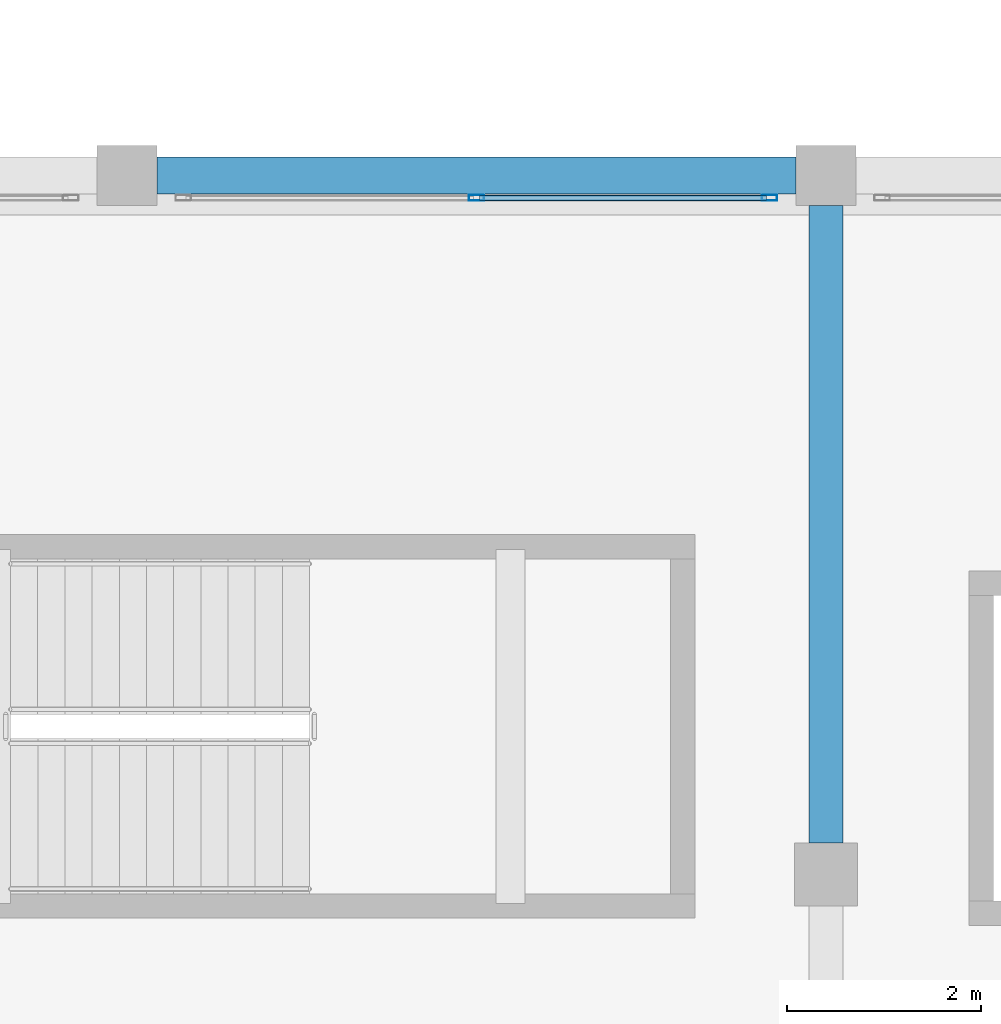
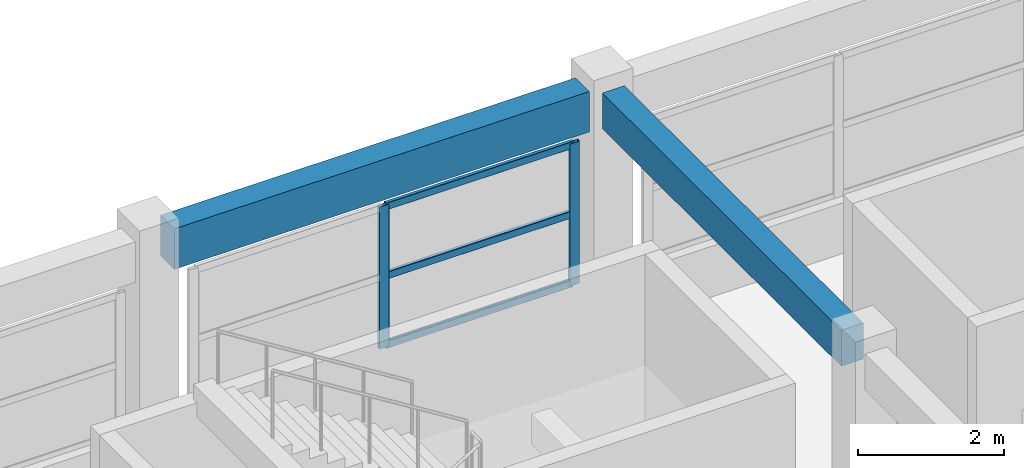
# One storey, part 13 of 67: 5 members, 2 beams, 1 element without a shape of its own.
"""IFC4 building model written with IfcOpenShell, lengths in metres."""

from ifc_helpers import new_model, si_unit, direction, frame, origin, origin_2d, place, context, subcontext, project, spatial, rectangle, hollow_rectangle, extrude, material, material_profile, profile_set, type_object, element, aggregate, save


model = new_model("IFC4")

# Units and contexts
model_context = context("Model", 3, precision=1e-05, world=origin(), true_north=direction((0.0, 1.0)))
body_context = subcontext(model_context, "Body", "Model", "MODEL_VIEW")
ifc_project = project(units=[si_unit("LENGTHUNIT", "METRE"), si_unit("AREAUNIT", "SQUARE_METRE"), si_unit("VOLUMEUNIT", "CUBIC_METRE"), si_unit("PLANEANGLEUNIT", "RADIAN"), si_unit("MASSUNIT", "GRAM", prefix="KILO")], contexts=[model_context])

# Site, building, storey
site_placement = place(None, origin())
site = spatial("IfcSite", under=ifc_project, at=site_placement, CompositionType="ELEMENT")
building_placement = place(site_placement, origin())
building = spatial("IfcBuilding", under=site, at=building_placement, Name="Bramveld Media Centre", CompositionType="ELEMENT")
storey_placement = place(building_placement, frame((0.0, 0.0, 5.39990234375)))
storey = spatial("IfcBuildingStorey", under=building, at=storey_placement, Name="L01", CompositionType="ELEMENT", Elevation=5.39990234375)

# Beam
ifc_material_1 = material(Name="Concrete C40/50", Category="concrete")
ifc_material_profile_1 = material_profile(ifc_material_1, rectangle(XDim=0.35009765625, YDim=0.60009765625, at=origin_2d()), Name="RC 350x600")
ifc_profile_set_1 = profile_set([ifc_material_profile_1], Name="Concrete C40/50")
beam_type_1 = type_object("IfcBeamType", Name="BM-INT-RC-350x600", PredefinedType="BEAM", material=ifc_profile_set_1)
beam_1_placement = place(storey_placement, frame((80.0, 14.72509765625, 3.650146484375), z_axis=(0.0, 1.0, 0.0), x_axis=(-1.0, 0.0, 0.0)))
element("IfcBeam", 1, at=beam_1_placement, inside=storey, type_object=beam_type_1, Name="V5 L01 girder Y-750", PredefinedType="BEAM", context=body_context, shape_type="SweptSolid", body=[
    extrude(rectangle(XDim=0.35009765625, YDim=0.60009765625, at=origin_2d()), origin(), (0.0, 0.0, 1.0), 6.56494140625),
])

# Curtain wall, members
ifc_material_2 = material(Name="Thermally broken anodized bronze aluminium unitized curtain wall with solar-control triple glazing", Category="aluminium")
curtain_wall_type = type_object("IfcCurtainWallType", Name="CW-FACV5-6100x2380", PredefinedType="NOTDEFINED", material=ifc_material_2)
curtain_wall_placement = place(storey_placement, origin())
curtain_wall = element("IfcCurtainWall", 2, at=curtain_wall_placement, inside=storey, type_object=curtain_wall_type, Name="V5 L01 N curtain wall bay 3", PredefinedType="NOTDEFINED")
ifc_material_3 = material(Name="Thermally broken anodized bronze aluminium EN AW-6063 T6 curtain-wall framing", Category="aluminium")
ifc_material_profile_2 = material_profile(ifc_material_3, hollow_rectangle(XDim=0.06005859375, YDim=0.159912109375, WallThickness=0.00390625, InnerFilletRadius=0.00390625, OuterFilletRadius=0.008056640625, at=origin_2d()), Name="AL-MULL 60x160")
ifc_profile_set_2 = profile_set([ifc_material_profile_2], Name="Thermally broken anodized bronze aluminium EN AW-6063 T6 curtain-wall framing")
member_type_1 = type_object("IfcMemberType", Name="CW-MULL-EXT", PredefinedType="MULLION", material=ifc_profile_set_2)
member_1_placement = place(storey_placement, frame((76.39990234375, 21.3701171875, 0.85009765625), z_axis=(0.0, 0.0, 1.0), x_axis=(0.0, 1.0, 0.0)))
member_1 = element("IfcMember", 3, at=member_1_placement, type_object=member_type_1, Name="CW-FA-6123 mullion 2", PredefinedType="MULLION", context=body_context, shape_type="SweptSolid", body=[
    extrude(hollow_rectangle(XDim=0.06005859375, YDim=0.159912109375, WallThickness=0.00390625, InnerFilletRadius=0.00390625, OuterFilletRadius=0.008056640625, at=origin_2d()), origin(), (0.0, 0.0, 1.0), 2.3798828125),
])
member_2_placement = place(storey_placement, frame((79.419921875, 21.3701171875, 0.85009765625), z_axis=(0.0, 0.0, 1.0), x_axis=(0.0, 1.0, 0.0)))
member_2 = element("IfcMember", 4, at=member_2_placement, type_object=member_type_1, Name="CW-FA-6123 mullion 3", PredefinedType="MULLION", context=body_context, shape_type="SweptSolid", body=[
    extrude(hollow_rectangle(XDim=0.06005859375, YDim=0.159912109375, WallThickness=0.00390625, InnerFilletRadius=0.00390625, OuterFilletRadius=0.008056640625, at=origin_2d()), origin(), (0.0, 0.0, 1.0), 2.3798828125),
])
ifc_material_4 = material(Name="Thermally broken anodized bronze aluminium EN AW-6063 T6 curtain-wall framing", Category="aluminium")
ifc_material_profile_3 = material_profile(ifc_material_4, hollow_rectangle(XDim=0.06005859375, YDim=0.1201171875, WallThickness=0.00341796875, InnerFilletRadius=0.00341796875, OuterFilletRadius=0.007080078125, at=origin_2d()), Name="AL-TRAN 60x120")
ifc_profile_set_3 = profile_set([ifc_material_profile_3], Name="Thermally broken anodized bronze aluminium EN AW-6063 T6 curtain-wall framing")
member_type_2 = type_object("IfcMemberType", Name="CW-TRAN-EXT", PredefinedType="USERDEFINED", material=ifc_profile_set_3)
member_3_placement = place(storey_placement, frame((76.429931640625, 21.3701171875, 0.880126953125), z_axis=(1.0, 0.0, 0.0), x_axis=(0.0, 1.0, 0.0)))
member_3 = element("IfcMember", 5, at=member_3_placement, type_object=member_type_2, Name="CW-FA-6123 transom 2.1", ObjectType="TRANSOM", PredefinedType="USERDEFINED", context=body_context, shape_type="SweptSolid", body=[
    extrude(hollow_rectangle(XDim=0.06005859375, YDim=0.1201171875, WallThickness=0.00341796875, InnerFilletRadius=0.00341796875, OuterFilletRadius=0.007080078125, at=origin_2d()), origin(), (0.0, 0.0, 1.0), 2.9599609375),
])
member_4_placement = place(storey_placement, frame((76.429931640625, 21.3701171875, 2.0400390625), z_axis=(1.0, 0.0, 0.0), x_axis=(0.0, 1.0, 0.0)))
member_4 = element("IfcMember", 6, at=member_4_placement, type_object=member_type_2, Name="CW-FA-6123 transom 2.2", ObjectType="TRANSOM", PredefinedType="USERDEFINED", context=body_context, shape_type="SweptSolid", body=[
    extrude(hollow_rectangle(XDim=0.06005859375, YDim=0.1201171875, WallThickness=0.00341796875, InnerFilletRadius=0.00341796875, OuterFilletRadius=0.007080078125, at=origin_2d()), origin(), (0.0, 0.0, 1.0), 2.9599609375),
])
member_5_placement = place(storey_placement, frame((76.429931640625, 21.3701171875, 3.2001953125), z_axis=(1.0, 0.0, 0.0), x_axis=(0.0, 1.0, 0.0)))
member_5 = element("IfcMember", 7, at=member_5_placement, type_object=member_type_2, Name="CW-FA-6123 transom 2.3", ObjectType="TRANSOM", PredefinedType="USERDEFINED", context=body_context, shape_type="SweptSolid", body=[
    extrude(hollow_rectangle(XDim=0.06005859375, YDim=0.1201171875, WallThickness=0.00341796875, InnerFilletRadius=0.00341796875, OuterFilletRadius=0.007080078125, at=origin_2d()), origin(), (0.0, 0.0, 1.0), 2.9599609375),
])
aggregate(curtain_wall, [member_1, member_2, member_3, member_4, member_5])

# Beam
ifc_material_5 = material(Name="Concrete C40/50", Category="concrete")
ifc_material_profile_4 = material_profile(ifc_material_5, rectangle(XDim=0.3798828125, YDim=0.679931640625, at=origin_2d()), Name="RC 380x680")
ifc_profile_set_4 = profile_set([ifc_material_profile_4], Name="Concrete C40/50")
beam_type_2 = type_object("IfcBeamType", Name="SPANDREL-EXT-RC-380x680", PredefinedType="SPANDREL", material=ifc_profile_set_4)
beam_2_placement = place(storey_placement, frame((73.110107421875, 21.60009765625, 3.610107421875), z_axis=(1.0, 0.0, 0.0), x_axis=(0.0, 1.0, 0.0)))
element("IfcBeam", 8, at=beam_2_placement, inside=storey, type_object=beam_type_2, Name="V5 L01 girder X-736", PredefinedType="SPANDREL", context=body_context, shape_type="SweptSolid", body=[
    extrude(rectangle(XDim=0.3798828125, YDim=0.679931640625, at=origin_2d()), origin(), (0.0, 0.0, 1.0), 6.579833984375),
])

save(model, "model.ifc")
